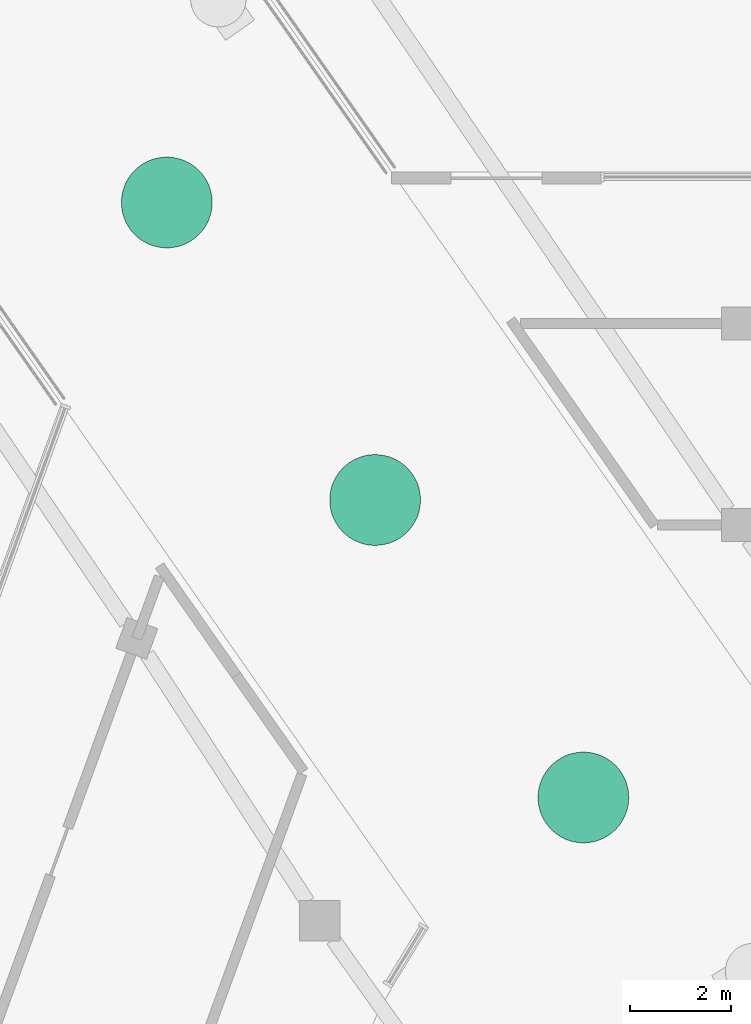
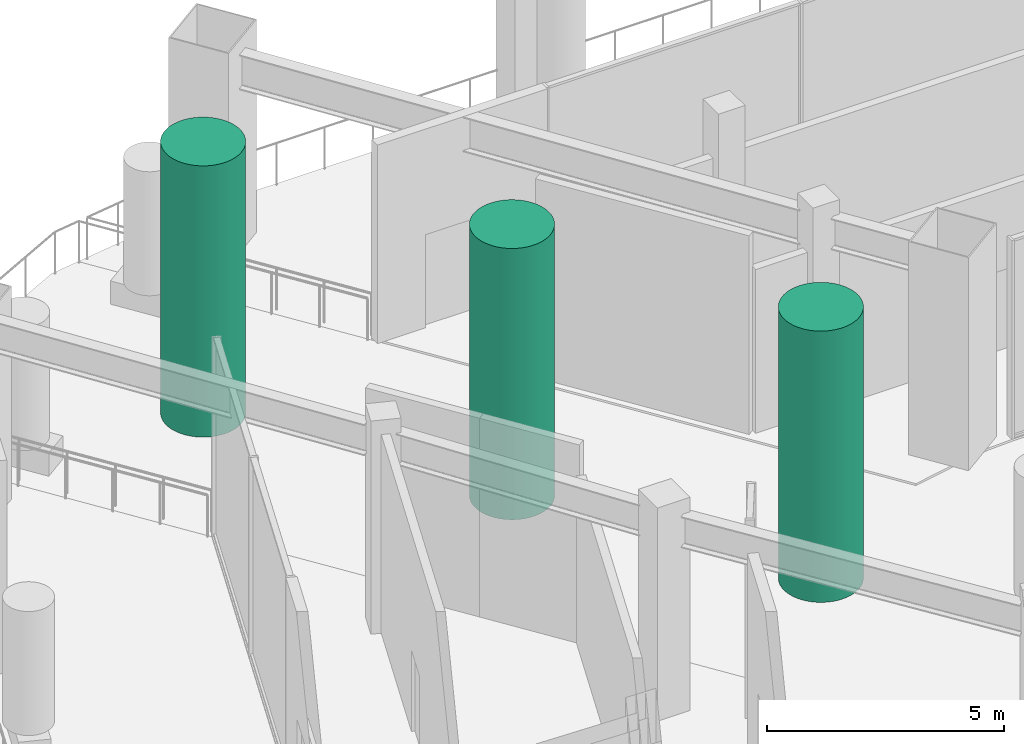
# One storey, part 15 of 17: 3 electric generators.
"""IFC4 building model written with IfcOpenShell, lengths in metres."""

from ifc_helpers import new_model, si_unit, direction, frame, origin, origin_2d, place, context, subcontext, project, spatial, circle, extrude, element, save


model = new_model("IFC4")

# Units and contexts
model_context = context("Model", 3, precision=1e-05, world=origin(), true_north=direction((0.0, 1.0)))
body_context = subcontext(model_context, "Body", "Model", "MODEL_VIEW")
ifc_project = project(units=[si_unit("LENGTHUNIT", "METRE"), si_unit("AREAUNIT", "SQUARE_METRE"), si_unit("VOLUMEUNIT", "CUBIC_METRE"), si_unit("PLANEANGLEUNIT", "RADIAN"), si_unit("MASSUNIT", "GRAM", prefix="KILO")], contexts=[model_context])

# Site, building, storey
site_placement = place(None, origin())
site = spatial("IfcSite", under=ifc_project, at=site_placement, CompositionType="ELEMENT")
building_placement = place(site_placement, origin())
building = spatial("IfcBuilding", under=site, at=building_placement, Name="Skarvind Civic Tower", CompositionType="ELEMENT")
storey_placement = place(building_placement, frame((0.0, 0.0, 182.5)))
storey = spatial("IfcBuildingStorey", under=building, at=storey_placement, Name="L43", CompositionType="ELEMENT", Elevation=182.5)

# Electric generators
for number, where, z_axis, x_axis, name in (
    (1, (42.921142578125, 132.397216796875, 0.0), (0.0, 0.0, 1.0), (1.0, 0.0, 0.0), "VERTICAL-AXIS WIND TURBINE"),
    (2, (47.052734375, 126.49658203125, 0.0), (0.0, 0.0, 1.0), (1.0, 0.0, 0.0), "VERTICAL-AXIS WIND TURBINE"),
    (3, (51.184326171875, 120.595947265625, 0.0), (0.0, 0.0, 1.0), (1.0, 0.0, 0.0), "VERTICAL-AXIS WIND TURBINE"),
):
    element("IfcElectricGenerator", number, at=place(storey_placement, frame(where, z_axis=z_axis, x_axis=x_axis)), inside=storey, Name=name, PredefinedType="STANDALONE", context=body_context, shape_type="SweptSolid", body=[
        extrude(circle(Radius=0.89990234375, at=origin_2d()), origin(), (0.0, 0.0, 1.0), 7.0),
    ])

save(model, "model.ifc")
